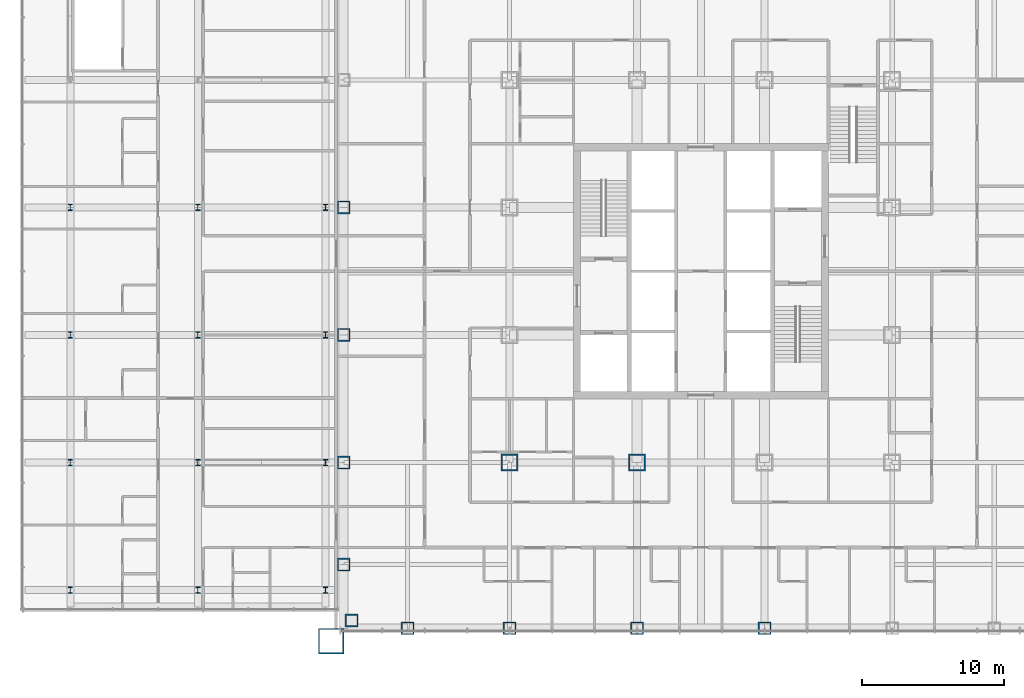
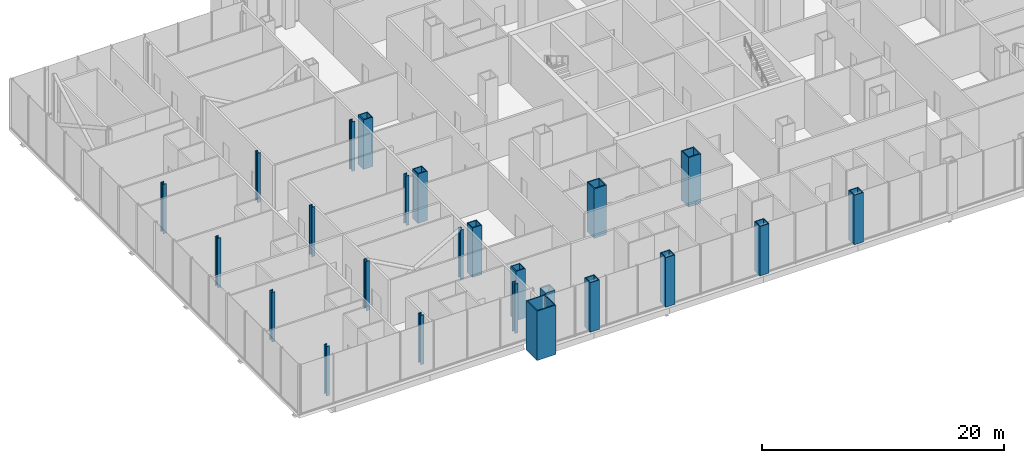
# One storey, part 1 of 28: 24 columns.
"""IFC4 building model written with IfcOpenShell, lengths in metres."""

from ifc_helpers import new_model, si_unit, direction, frame, origin, origin_2d, place, context, subcontext, project, spatial, hollow_rectangle, i_section, extrude, material, material_profile, profile_set, type_object, element, save


model = new_model("IFC4")

# Units and contexts
model_context = context("Model", 3, precision=1e-05, world=origin(), true_north=direction((0.0, 1.0)))
body_context = subcontext(model_context, "Body", "Model", "MODEL_VIEW")
ifc_project = project(units=[si_unit("LENGTHUNIT", "METRE"), si_unit("AREAUNIT", "SQUARE_METRE"), si_unit("VOLUMEUNIT", "CUBIC_METRE"), si_unit("PLANEANGLEUNIT", "RADIAN"), si_unit("MASSUNIT", "GRAM", prefix="KILO")], contexts=[model_context])

# Site, building, storey
site_placement = place(None, origin())
site = spatial("IfcSite", under=ifc_project, at=site_placement, CompositionType="ELEMENT")
building_placement = place(site_placement, origin())
building = spatial("IfcBuilding", under=site, at=building_placement, Name="Malebo Sky Hospital", CompositionType="ELEMENT")
storey_placement = place(building_placement, frame((0.0, 0.0, 21.0)))
storey = spatial("IfcBuildingStorey", under=building, at=storey_placement, Name="L04", CompositionType="ELEMENT", Elevation=21.0)

# Columns
ifc_material_1 = material(Name="Steel S460", Category="steel")
ifc_material_profile_1 = material_profile(ifc_material_1, hollow_rectangle(XDim=1.199951171875, YDim=1.199951171875, WallThickness=0.10009765625, at=origin_2d()), Name="BOX 1200x1200x100")
ifc_profile_set_1 = profile_set([ifc_material_profile_1], Name="Steel S460")
column_type_1 = type_object("IfcColumnType", Name="INNER COLUMN BOX 1200x1200x100", PredefinedType="COLUMN", material=ifc_profile_set_1)
for number, where, z_axis, x_axis, name in (
    (1, (46.5, 48.5, 0.0), (0.0, 0.0, 1.0), (1.0, 0.0, 0.0), "Column IC11 L04"),
    (2, (55.5, 48.5, 0.0), (0.0, 0.0, 1.0), (1.0, 0.0, 0.0), "Column IC11 L04"),
):
    element("IfcColumn", number, at=place(storey_placement, frame(where, z_axis=z_axis, x_axis=x_axis)), inside=storey, type_object=column_type_1, Name=name, PredefinedType="COLUMN", context=body_context, shape_type="SweptSolid", body=[
        extrude(hollow_rectangle(XDim=1.199951171875, YDim=1.199951171875, WallThickness=0.10009765625, at=origin_2d()), origin(), (0.0, 0.0, 1.0), 5.0),
    ])
ifc_material_profile_2 = material_profile(ifc_material_1, hollow_rectangle(XDim=1.800048828125, YDim=1.800048828125, WallThickness=0.10009765625, at=origin_2d()), Name="BOX 1800x1800x100")
ifc_profile_set_2 = profile_set([ifc_material_profile_2], Name="Steel S460")
column_type_2 = type_object("IfcColumnType", Name="MEGA COLUMN BOX 1800x1800x100", PredefinedType="COLUMN", material=ifc_profile_set_2)
column_placement = place(storey_placement, frame((33.89990234375, 35.89990234375, 0.0), z_axis=(0.0, 0.0, 1.0), x_axis=(1.0, 0.0, 0.0)))
element("IfcColumn", 3, at=column_placement, inside=storey, type_object=column_type_2, Name="Mega column SW L04", PredefinedType="COLUMN", context=body_context, shape_type="SweptSolid", body=[
    extrude(hollow_rectangle(XDim=1.800048828125, YDim=1.800048828125, WallThickness=0.10009765625, at=origin_2d()), origin(), (0.0, 0.0, 1.0), 5.0),
])
ifc_material_profile_3 = material_profile(ifc_material_1, hollow_rectangle(XDim=0.89990234375, YDim=0.89990234375, WallThickness=0.080078125, at=origin_2d()), Name="BOX 900x900x80")
ifc_profile_set_3 = profile_set([ifc_material_profile_3], Name="Steel S460")
column_type_3 = type_object("IfcColumnType", Name="PERIMETER COLUMN BOX 900x900x80", PredefinedType="COLUMN", material=ifc_profile_set_3)
for number, where, z_axis, x_axis, name in (
    (4, (39.300048828125, 36.800048828125, 0.0), (0.0, 0.0, 1.0), (1.0, 0.0, 0.0), "Column PC8 L04"),
    (5, (34.800048828125, 41.300048828125, 0.0), (0.0, 0.0, 1.0), (1.0, 0.0, 0.0), "Column PC8 L04"),
    (6, (46.5, 36.800048828125, 0.0), (0.0, 0.0, 1.0), (1.0, 0.0, 0.0), "Column PC8 L04"),
    (7, (34.800048828125, 48.5, 0.0), (0.0, 0.0, 1.0), (1.0, 0.0, 0.0), "Column PC8 L04"),
    (8, (55.5, 36.800048828125, 0.0), (0.0, 0.0, 1.0), (1.0, 0.0, 0.0), "Column PC8 L04"),
    (9, (34.800048828125, 57.5, 0.0), (0.0, 0.0, 1.0), (1.0, 0.0, 0.0), "Column PC8 L04"),
    (10, (64.5, 36.800048828125, 0.0), (0.0, 0.0, 1.0), (1.0, 0.0, 0.0), "Column PC8 L04"),
    (11, (34.800048828125, 66.5, 0.0), (0.0, 0.0, 1.0), (1.0, 0.0, 0.0), "Column PC8 L04"),
    (12, (35.35009765625, 37.35009765625, 0.0), (0.0, 0.0, 1.0), (1.0, 0.0, 0.0), "Column PC8 L04"),
):
    element("IfcColumn", number, at=place(storey_placement, frame(where, z_axis=z_axis, x_axis=x_axis)), inside=storey, type_object=column_type_3, Name=name, PredefinedType="COLUMN", context=body_context, shape_type="SweptSolid", body=[
        extrude(hollow_rectangle(XDim=0.89990234375, YDim=0.89990234375, WallThickness=0.080078125, at=origin_2d()), origin(), (0.0, 0.0, 1.0), 5.0),
    ])
ifc_material_2 = material(Name="Steel S355", Category="steel")
ifc_material_profile_4 = material_profile(ifc_material_2, i_section(OverallWidth=0.306884765625, OverallDepth=0.431884765625, WebThickness=0.02099609375, FlangeThickness=0.0400390625, FilletRadius=0.027099609375, at=origin_2d()), Name="HEM 400")
ifc_profile_set_4 = profile_set([ifc_material_profile_4], Name="Steel S355")
column_type_4 = type_object("IfcColumnType", Name="PODIUM COLUMN HEM 400", PredefinedType="COLUMN", material=ifc_profile_set_4)
for number, where, z_axis, x_axis, name in (
    (13, (15.5, 39.5, 0.0), (0.0, 0.0, 1.0), (1.0, 0.0, 0.0), "Podium column 15.5/39.5 L04"),
    (14, (15.5, 48.5, 0.0), (0.0, 0.0, 1.0), (1.0, 0.0, 0.0), "Podium column 15.5/48.5 L04"),
    (15, (15.5, 57.5, 0.0), (0.0, 0.0, 1.0), (1.0, 0.0, 0.0), "Podium column 15.5/57.5 L04"),
    (16, (15.5, 66.5, 0.0), (0.0, 0.0, 1.0), (1.0, 0.0, 0.0), "Podium column 15.5/66.5 L04"),
    (17, (24.5, 39.5, 0.0), (0.0, 0.0, 1.0), (1.0, 0.0, 0.0), "Podium column 24.5/39.5 L04"),
    (18, (24.5, 48.5, 0.0), (0.0, 0.0, 1.0), (1.0, 0.0, 0.0), "Podium column 24.5/48.5 L04"),
    (19, (24.5, 57.5, 0.0), (0.0, 0.0, 1.0), (1.0, 0.0, 0.0), "Podium column 24.5/57.5 L04"),
    (20, (24.5, 66.5, 0.0), (0.0, 0.0, 1.0), (1.0, 0.0, 0.0), "Podium column 24.5/66.5 L04"),
    (21, (33.5, 39.5, 0.0), (0.0, 0.0, 1.0), (1.0, 0.0, 0.0), "Podium column 33.5/39.5 L04"),
    (22, (33.5, 48.5, 0.0), (0.0, 0.0, 1.0), (1.0, 0.0, 0.0), "Podium column 33.5/48.5 L04"),
    (23, (33.5, 57.5, 0.0), (0.0, 0.0, 1.0), (1.0, 0.0, 0.0), "Podium column 33.5/57.5 L04"),
    (24, (33.5, 66.5, 0.0), (0.0, 0.0, 1.0), (1.0, 0.0, 0.0), "Podium column 33.5/66.5 L04"),
):
    element("IfcColumn", number, at=place(storey_placement, frame(where, z_axis=z_axis, x_axis=x_axis)), inside=storey, type_object=column_type_4, Name=name, PredefinedType="COLUMN", context=body_context, shape_type="SweptSolid", body=[
        extrude(i_section(OverallWidth=0.306884765625, OverallDepth=0.431884765625, WebThickness=0.02099609375, FlangeThickness=0.0400390625, FilletRadius=0.027099609375, at=origin_2d()), origin(), (0.0, 0.0, 1.0), 5.0),
    ])

save(model, "model.ifc")
